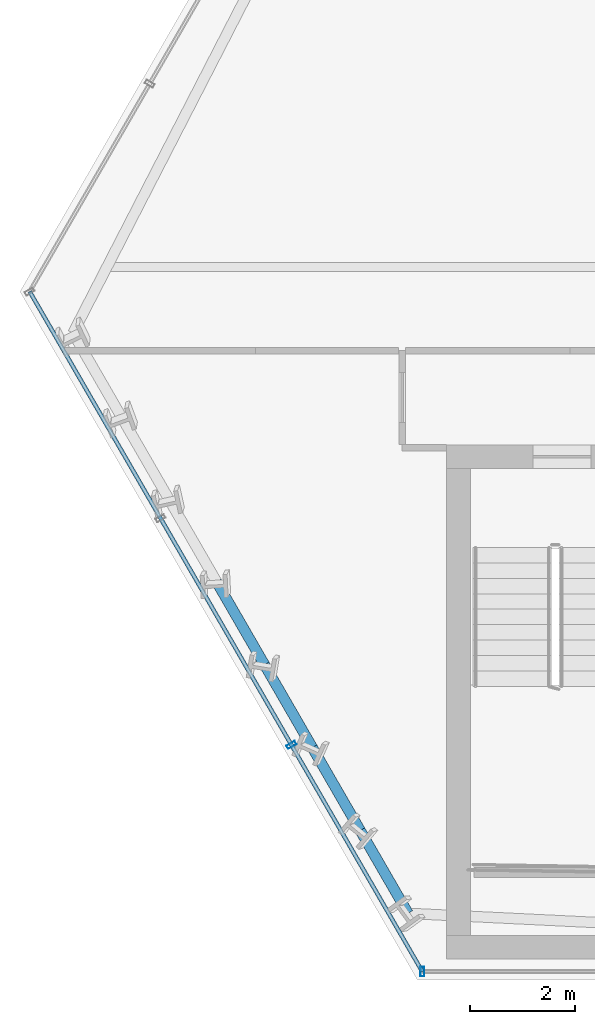
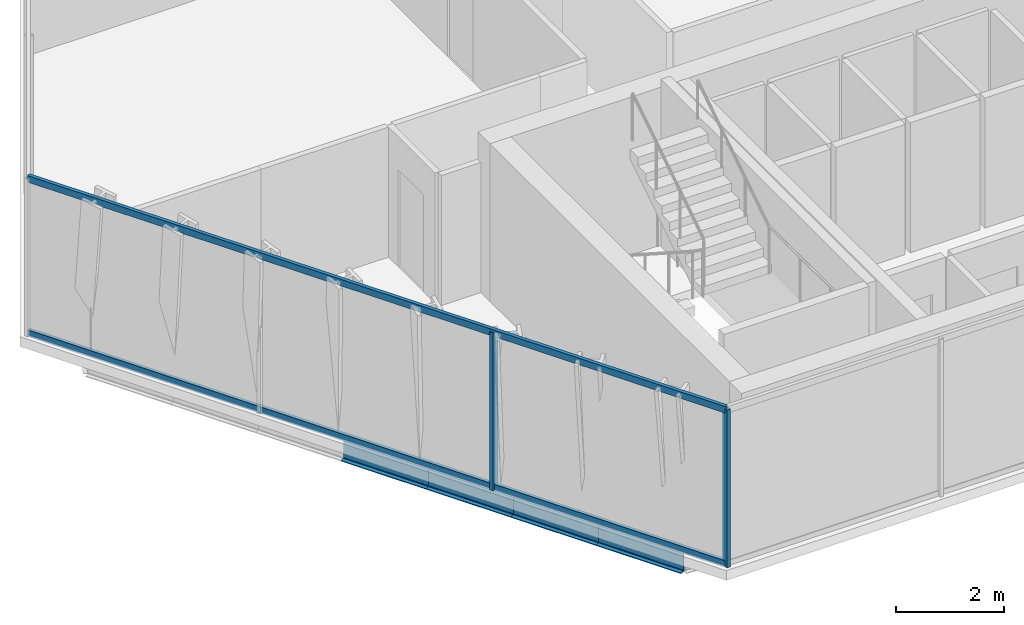
# One storey, part 2 of 32: 4 beams, 4 members, 2 elements without a shape of their own.
"""IFC4 building model written with IfcOpenShell, lengths in metres."""

from ifc_helpers import new_model, si_unit, direction, frame, origin, origin_2d, place, context, subcontext, project, spatial, hollow_rectangle, i_section, extrude, material, layer, layer_set, material_profile, profile_set, type_object, element, aggregate, save


model = new_model("IFC4")

# Units and contexts
model_context = context("Model", 3, precision=1e-05, world=origin(), true_north=direction((0.0, 1.0)))
body_context = subcontext(model_context, "Body", "Model", "MODEL_VIEW")
ifc_project = project(units=[si_unit("LENGTHUNIT", "METRE"), si_unit("AREAUNIT", "SQUARE_METRE"), si_unit("VOLUMEUNIT", "CUBIC_METRE"), si_unit("PLANEANGLEUNIT", "RADIAN"), si_unit("MASSUNIT", "GRAM", prefix="KILO")], contexts=[model_context])

# Site, building, storey
site_placement = place(None, origin())
site = spatial("IfcSite", under=ifc_project, at=site_placement, CompositionType="ELEMENT")
building_placement = place(site_placement, origin())
building = spatial("IfcBuilding", under=site, at=building_placement, Name="Ndaravel Arena Tower", CompositionType="ELEMENT")
storey_placement = place(building_placement, frame((0.0, 0.0, 77.800048828125)))
storey = spatial("IfcBuildingStorey", under=building, at=storey_placement, Name="L17", CompositionType="ELEMENT", Elevation=77.800048828125)

# Beams
ifc_material_1 = material(Name="Steel S355", Category="steel")
ifc_material_profile_1 = material_profile(ifc_material_1, i_section(OverallWidth=0.199951171875, OverallDepth=0.5, WebThickness=0.01025390625, FlangeThickness=0.01611328125, FilletRadius=0.02099609375, at=origin_2d()), Name="IPE 500")
ifc_profile_set_1 = profile_set([ifc_material_profile_1], Name="Steel S355")
beam_type = type_object("IfcBeamType", Name="BM-SPAN-IPE500", PredefinedType="SPANDREL", material=ifc_profile_set_1)
beam_1_placement = place(storey_placement, frame((22.0625, 12.593994140625, -0.469970703125), z_axis=(0.500065901226, -0.86598735235, 0.0), x_axis=(0.86598735235, 0.500065901226, 0.0)))
element("IfcBeam", 1, at=beam_1_placement, inside=storey, type_object=beam_type, Name="L17 Perimeter Spandrel Beam SP-23", PredefinedType="SPANDREL", context=body_context, shape_type="SweptSolid", body=[
    extrude(i_section(OverallWidth=0.199951171875, OverallDepth=0.5, WebThickness=0.01025390625, FlangeThickness=0.01611328125, FilletRadius=0.02099609375, at=origin_2d()), origin(), (0.0, 0.0, 1.0), 1.825439453125),
])
beam_2_placement = place(storey_placement, frame((22.975341796875, 11.01318359375, -0.469970703125), z_axis=(0.500007989214, -0.866020791161, 0.0), x_axis=(0.866020791161, 0.500007989214, 0.0)))
element("IfcBeam", 2, at=beam_2_placement, inside=storey, type_object=beam_type, Name="L17 Perimeter Spandrel Beam SP-24", PredefinedType="SPANDREL", context=body_context, shape_type="SweptSolid", body=[
    extrude(i_section(OverallWidth=0.199951171875, OverallDepth=0.5, WebThickness=0.01025390625, FlangeThickness=0.01611328125, FilletRadius=0.02099609375, at=origin_2d()), origin(), (0.0, 0.0, 1.0), 1.82568359375),
])
for number, where, z_axis, x_axis, name in (
    (3, (23.88818359375, 9.43212890625, -0.469970703125), (0.499965592563, -0.866045268016, 0.0), (0.866045268016, 0.499965592563, 0.0), "L17 Perimeter Spandrel Beam SP-25"),
    (4, (24.80078125, 7.851318359375, -0.469970703125), (0.499965592563, -0.866045268016, 0.0), (0.866045268016, 0.499965592563, 0.0), "L17 Perimeter Spandrel Beam SP-26"),
):
    element("IfcBeam", number, at=place(storey_placement, frame(where, z_axis=z_axis, x_axis=x_axis)), inside=storey, type_object=beam_type, Name=name, PredefinedType="SPANDREL", context=body_context, shape_type="SweptSolid", body=[
        extrude(i_section(OverallWidth=0.199951171875, OverallDepth=0.5, WebThickness=0.01025390625, FlangeThickness=0.01611328125, FilletRadius=0.02099609375, at=origin_2d()), origin(), (0.0, 0.0, 1.0), 1.825439453125),
    ])

# Curtain wall, member
ifc_material_2 = material(Name="Aluminium", Category="aluminium")
ifc_layer_1 = layer(ifc_material_2, 0.179931640625)
ifc_layer_set_1 = layer_set([ifc_layer_1], Name="Aluminium")
curtain_wall_type_1 = type_object("IfcCurtainWallType", Name="CW-SYS-03", PredefinedType="NOTDEFINED", material=ifc_layer_set_1)
curtain_wall_1_placement = place(storey_placement, origin())
curtain_wall_1 = element("IfcCurtainWall", 5, at=curtain_wall_1_placement, inside=storey, type_object=curtain_wall_type_1, Name="L17 Faceted Crystal Curtain Wall CW-L17-E01", PredefinedType="NOTDEFINED")
ifc_material_3 = material(Name="Aluminium", Category="aluminium")
ifc_material_profile_2 = material_profile(ifc_material_3, hollow_rectangle(XDim=0.074951171875, YDim=0.179931640625, WallThickness=0.00390625, at=origin_2d()), Name="CW MULLION 75x180x4")
ifc_profile_set_2 = profile_set([ifc_material_profile_2], Name="Aluminium")
member_type_1 = type_object("IfcMemberType", Name="MEM-CW-MUL180", PredefinedType="MULLION", material=ifc_profile_set_2)
member_1_placement = place(storey_placement, frame((25.985107421875, 5.159912109375, 0.0), z_axis=(0.0, 0.0, 1.0), x_axis=(1.0, 0.0, 0.0)))
member_1 = element("IfcMember", 6, at=member_1_placement, type_object=member_type_1, Name="CW-L17-E01 Mullion 00", PredefinedType="MULLION", context=body_context, shape_type="SweptSolid", body=[
    extrude(hollow_rectangle(XDim=0.074951171875, YDim=0.179931640625, WallThickness=0.00390625, at=origin_2d()), origin(), (0.0, 0.0, 1.0), 3.579833984375),
])
aggregate(curtain_wall_1, [member_1])

# Curtain wall, members
ifc_material_4 = material(Name="Aluminium", Category="aluminium")
ifc_layer_2 = layer(ifc_material_4, 0.179931640625)
ifc_layer_set_2 = layer_set([ifc_layer_2], Name="Aluminium")
curtain_wall_type_2 = type_object("IfcCurtainWallType", Name="CW-SYS-02", PredefinedType="NOTDEFINED", material=ifc_layer_set_2)
curtain_wall_2_placement = place(storey_placement, origin())
curtain_wall_2 = element("IfcCurtainWall", 7, at=curtain_wall_2_placement, inside=storey, type_object=curtain_wall_type_2, Name="L17 Faceted Crystal Curtain Wall CW-L17-E06", PredefinedType="NOTDEFINED")
member_2_placement = place(storey_placement, frame((23.48974609375, 9.482421875, 0.0), z_axis=(0.0, 0.0, 1.0), x_axis=(0.5, -0.866025403784, 0.0)))
member_2 = element("IfcMember", 8, at=member_2_placement, type_object=member_type_1, Name="CW-L17-E06 Mullion 02", PredefinedType="MULLION", context=body_context, shape_type="SweptSolid", body=[
    extrude(hollow_rectangle(XDim=0.074951171875, YDim=0.179931640625, WallThickness=0.00390625, at=origin_2d()), origin(), (0.0, 0.0, 1.0), 3.579833984375),
])
ifc_material_5 = material(Name="Aluminium", Category="aluminium")
ifc_material_profile_3 = material_profile(ifc_material_5, hollow_rectangle(XDim=0.074951171875, YDim=0.14990234375, WallThickness=0.00390625, at=origin_2d()), Name="CW TRANSOM 75x150x4")
ifc_profile_set_3 = profile_set([ifc_material_profile_3], Name="Aluminium")
member_type_2 = type_object("IfcMemberType", Name="MEM-CW-TRN150", PredefinedType="USERDEFINED", material=ifc_profile_set_3)
member_3_placement = place(storey_placement, frame((18.49853515625, 18.127197265625, 0.0400390625), z_axis=(0.499995326169, -0.866028102205, 0.0), x_axis=(0.866028102205, 0.499995326169, 0.0)))
member_3 = element("IfcMember", 9, at=member_3_placement, type_object=member_type_2, Name="CW-L17-E06 Transom 01", ObjectType="TRANSOM", PredefinedType="USERDEFINED", context=body_context, shape_type="SweptSolid", body=[
    extrude(hollow_rectangle(XDim=0.074951171875, YDim=0.14990234375, WallThickness=0.00390625, at=origin_2d()), origin(), (0.0, 0.0, 1.0), 14.973388671875),
])
member_4_placement = place(storey_placement, frame((18.49853515625, 18.127197265625, 3.5400390625), z_axis=(0.499995326169, -0.866028102205, 0.0), x_axis=(0.866028102205, 0.499995326169, 0.0)))
member_4 = element("IfcMember", 10, at=member_4_placement, type_object=member_type_2, Name="CW-L17-E06 Transom 02", ObjectType="TRANSOM", PredefinedType="USERDEFINED", context=body_context, shape_type="SweptSolid", body=[
    extrude(hollow_rectangle(XDim=0.074951171875, YDim=0.14990234375, WallThickness=0.00390625, at=origin_2d()), origin(), (0.0, 0.0, 1.0), 14.973388671875),
])
aggregate(curtain_wall_2, [member_2, member_3, member_4])

save(model, "model.ifc")
